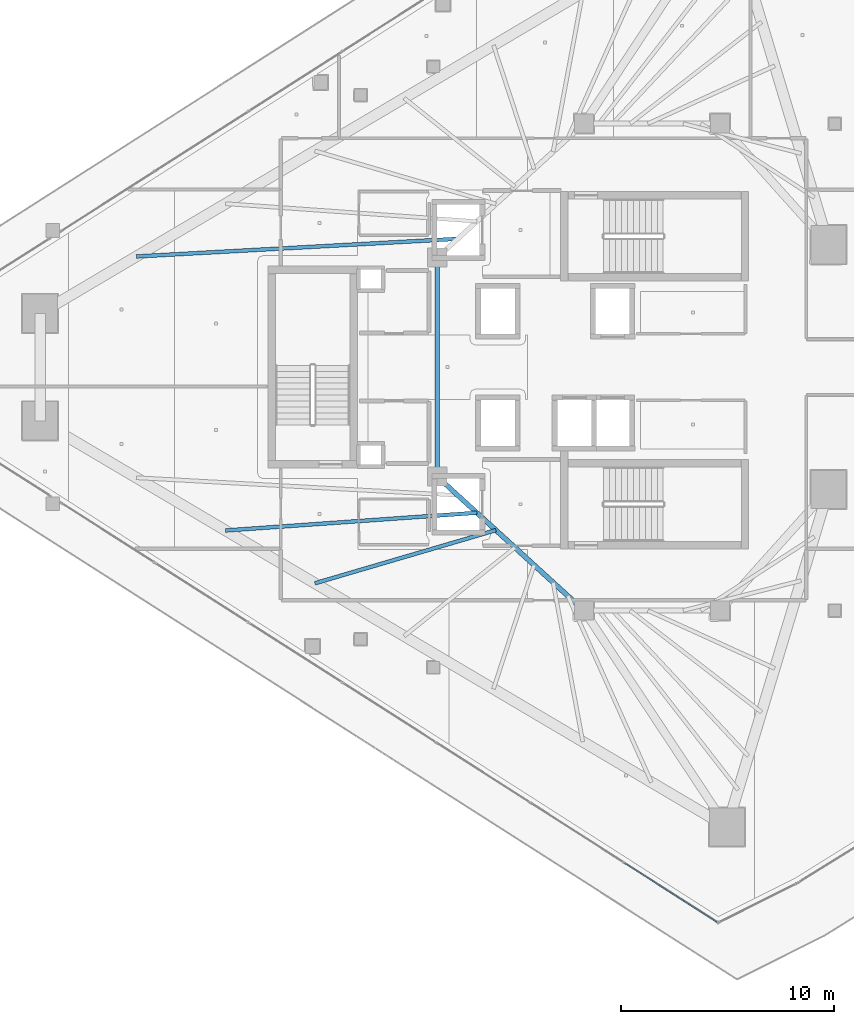
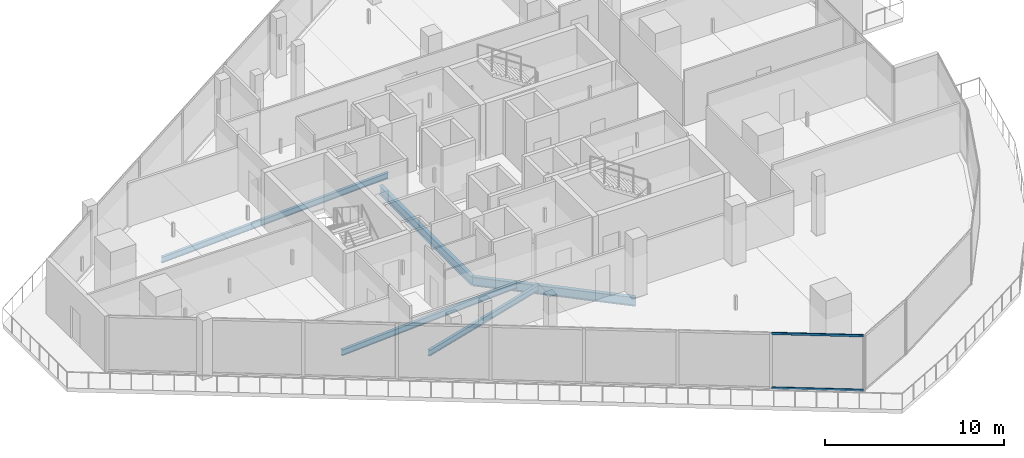
# One storey, part 9 of 33: 5 beams, 2 members, 1 element without a shape of its own.
"""IFC4 building model written with IfcOpenShell, lengths in metres."""

from ifc_helpers import new_model, si_unit, direction, frame, origin, origin_2d, place, context, subcontext, project, spatial, hollow_rectangle, i_section, extrude, material, layer, layer_set, material_profile, profile_set, type_object, element, aggregate, save


model = new_model("IFC4")

# Units and contexts
model_context = context("Model", 3, precision=1e-05, world=origin(), true_north=direction((0.0, 1.0)))
body_context = subcontext(model_context, "Body", "Model", "MODEL_VIEW")
ifc_project = project(units=[si_unit("LENGTHUNIT", "METRE"), si_unit("AREAUNIT", "SQUARE_METRE"), si_unit("VOLUMEUNIT", "CUBIC_METRE"), si_unit("PLANEANGLEUNIT", "RADIAN"), si_unit("MASSUNIT", "GRAM", prefix="KILO")], contexts=[model_context])

# Site, building, storey
site_placement = place(None, origin())
site = spatial("IfcSite", under=ifc_project, at=site_placement, CompositionType="ELEMENT")
building_placement = place(site_placement, origin())
building = spatial("IfcBuilding", under=site, at=building_placement, Name="Qorvath Tower", CompositionType="ELEMENT")
storey_placement = place(building_placement, frame((0.0, 0.0, 221.25)))
storey = spatial("IfcBuildingStorey", under=building, at=storey_placement, Name="L51", CompositionType="ELEMENT", Elevation=221.25)

# Beams
ifc_material_1 = material(Name="Steel ASTM A992 Grade 50", Category="steel")
ifc_material_profile_1 = material_profile(ifc_material_1, i_section(OverallWidth=0.22998046875, OverallDepth=0.616943359375, WebThickness=0.01318359375, FlangeThickness=0.022216796875, FilletRadius=0.014892578125, at=origin_2d()), Name="W24x94")
ifc_profile_set_1 = profile_set([ifc_material_profile_1], Name="Steel ASTM A992 Grade 50")
beam_type_1 = type_object("IfcBeamType", Name="BM-FG6", PredefinedType="BEAM", material=ifc_profile_set_1)
beam_1_placement = place(storey_placement, frame((-23.60009765625, -11.449951171875, -0.57861328125), z_axis=(-0.73847813985, 0.6742774184, 0.0), x_axis=(-0.6742774184, -0.73847813985, 0.0)))
element("IfcBeam", 1, at=beam_1_placement, inside=storey, type_object=beam_type_1, Name="Core Ring Girder CC4-CC6 L51", PredefinedType="BEAM", context=body_context, shape_type="SweptSolid", body=[
    extrude(i_section(OverallWidth=0.22998046875, OverallDepth=0.616943359375, WebThickness=0.01318359375, FlangeThickness=0.022216796875, FilletRadius=0.014892578125, at=origin_2d()), origin(), (0.0, 0.0, 1.0), 9.343505859375),
])
beam_2_placement = place(storey_placement, frame((-30.5, -5.14990234375, -0.57861328125), z_axis=(0.0, 1.0, 0.0), x_axis=(-1.0, 0.0, 0.0)))
element("IfcBeam", 2, at=beam_2_placement, inside=storey, type_object=beam_type_1, Name="Core Ring Girder CC6-CC5 L51", PredefinedType="BEAM", context=body_context, shape_type="SweptSolid", body=[
    extrude(i_section(OverallWidth=0.22998046875, OverallDepth=0.616943359375, WebThickness=0.01318359375, FlangeThickness=0.022216796875, FilletRadius=0.014892578125, at=origin_2d()), origin(), (0.0, 0.0, 1.0), 10.2998046875),
])
ifc_material_2 = material(Name="Steel ASTM A992 Grade 50", Category="steel")
ifc_material_profile_2 = material_profile(ifc_material_2, i_section(OverallWidth=0.177978515625, OverallDepth=0.406005859375, WebThickness=0.0078125, FlangeThickness=0.0126953125, FilletRadius=0.010986328125, at=origin_2d()), Name="W16x40")
ifc_profile_set_2 = profile_set([ifc_material_profile_2], Name="Steel ASTM A992 Grade 50")
beam_type_2 = type_object("IfcBeamType", Name="BM-FJ3", PredefinedType="JOIST", material=ifc_profile_set_2)
beam_3_placement = place(storey_placement, frame((-29.533935546875, 6.031982421875, -0.472900390625), z_axis=(-0.998494745044, -0.054847462293, 0.0), x_axis=(0.054847462293, -0.998494745044, 0.0)))
element("IfcBeam", 3, at=beam_3_placement, inside=storey, type_object=beam_type_2, Name="Composite Floor Joist NW1 L51", PredefinedType="JOIST", context=body_context, shape_type="SweptSolid", body=[
    extrude(i_section(OverallWidth=0.177978515625, OverallDepth=0.406005859375, WebThickness=0.0078125, FlangeThickness=0.0126953125, FilletRadius=0.010986328125, at=origin_2d()), origin(), (0.0, 0.0, 1.0), 15.138671875),
])
beam_4_placement = place(storey_placement, frame((-28.636962890625, -6.85107421875, -0.472900390625), z_axis=(-0.997520476731, -0.070376832146, 0.0), x_axis=(0.070376832146, -0.997520476731, 0.0)))
element("IfcBeam", 4, at=beam_4_placement, inside=storey, type_object=beam_type_2, Name="Composite Floor Joist SW2 L51", PredefinedType="JOIST", context=body_context, shape_type="SweptSolid", body=[
    extrude(i_section(OverallWidth=0.177978515625, OverallDepth=0.406005859375, WebThickness=0.0078125, FlangeThickness=0.0126953125, FilletRadius=0.010986328125, at=origin_2d()), origin(), (0.0, 0.0, 1.0), 11.84326171875),
])
beam_5_placement = place(storey_placement, frame((-27.739990234375, -7.669921875, -0.472900390625), z_axis=(-0.959544992264, -0.281555337049, 0.0), x_axis=(0.281555337049, -0.959544992264, 0.0)))
element("IfcBeam", 5, at=beam_5_placement, inside=storey, type_object=beam_type_2, Name="Composite Floor Joist SW3 L51", PredefinedType="JOIST", context=body_context, shape_type="SweptSolid", body=[
    extrude(i_section(OverallWidth=0.177978515625, OverallDepth=0.406005859375, WebThickness=0.0078125, FlangeThickness=0.0126953125, FilletRadius=0.010986328125, at=origin_2d()), origin(), (0.0, 0.0, 1.0), 8.87060546875),
])

# Curtain wall, members
ifc_material_3 = material(Name="Anodised aluminium and triple low-E glass", Category="aluminium")
ifc_layer = layer(ifc_material_3, 0.179931640625)
ifc_layer_set = layer_set([ifc_layer], Name="CW-SYS-3")
curtain_wall_type = type_object("IfcCurtainWallType", Name="CW-SYS-3", PredefinedType="NOTDEFINED", material=ifc_layer_set)
curtain_wall_placement = place(storey_placement, origin())
curtain_wall = element("IfcCurtainWall", 6, at=curtain_wall_placement, inside=storey, type_object=curtain_wall_type, Name="Curtain Wall CW-3 CW-T-L51-2.2", PredefinedType="NOTDEFINED")
ifc_material_4 = material(Name="Anodised aluminium 6063-T6", Category="aluminium")
ifc_material_profile_3 = material_profile(ifc_material_4, hollow_rectangle(XDim=0.06494140625, YDim=0.159912109375, WallThickness=0.00341796875, InnerFilletRadius=0.00341796875, OuterFilletRadius=0.007080078125, at=origin_2d()), Name="CWT 160x65")
ifc_profile_set_3 = profile_set([ifc_material_profile_3], Name="Anodised aluminium 6063-T6")
member_type = type_object("IfcMemberType", Name="CWT-160", PredefinedType="USERDEFINED", material=ifc_profile_set_3)
member_1_placement = place(storey_placement, frame((-21.67822265625, -23.328857421875, 0.032470703125), z_axis=(0.842590987115, -0.538554016263, 0.0), x_axis=(0.538554016263, 0.842590987115, 0.0)))
member_1 = element("IfcMember", 7, at=member_1_placement, type_object=member_type, Name="CW-3 transom 7.1", ObjectType="TRANSOM", PredefinedType="USERDEFINED", context=body_context, shape_type="SweptSolid", body=[
    extrude(hollow_rectangle(XDim=0.06494140625, YDim=0.159912109375, WallThickness=0.00341796875, InnerFilletRadius=0.00341796875, OuterFilletRadius=0.007080078125, at=origin_2d()), origin(), (0.0, 0.0, 1.0), 5.144775390625),
])
member_2_placement = place(storey_placement, frame((-21.67822265625, -23.328857421875, 3.74755859375), z_axis=(0.842590987115, -0.538554016263, 0.0), x_axis=(0.538554016263, 0.842590987115, 0.0)))
member_2 = element("IfcMember", 8, at=member_2_placement, type_object=member_type, Name="CW-3 transom 7.2", ObjectType="TRANSOM", PredefinedType="USERDEFINED", context=body_context, shape_type="SweptSolid", body=[
    extrude(hollow_rectangle(XDim=0.06494140625, YDim=0.159912109375, WallThickness=0.00341796875, InnerFilletRadius=0.00341796875, OuterFilletRadius=0.007080078125, at=origin_2d()), origin(), (0.0, 0.0, 1.0), 5.144775390625),
])
aggregate(curtain_wall, [member_1, member_2])

save(model, "model.ifc")
